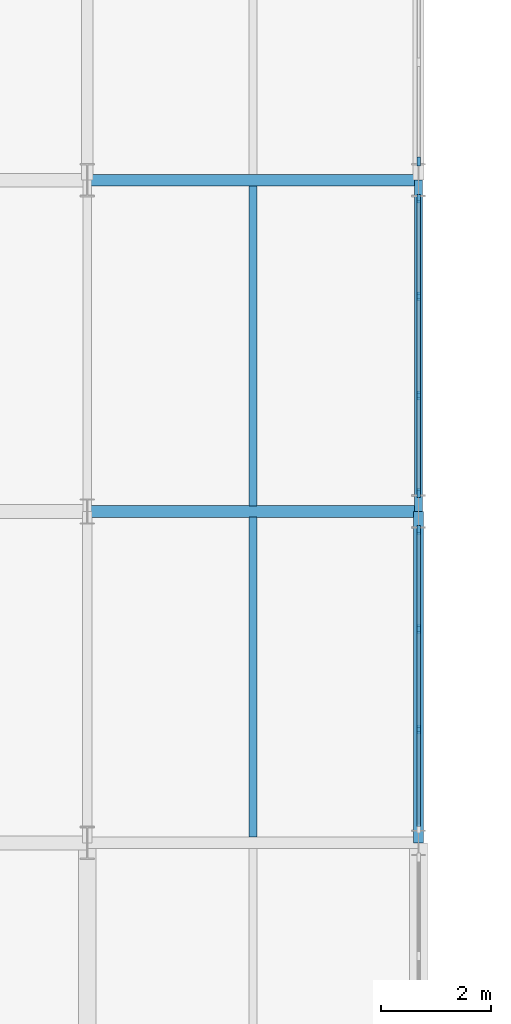
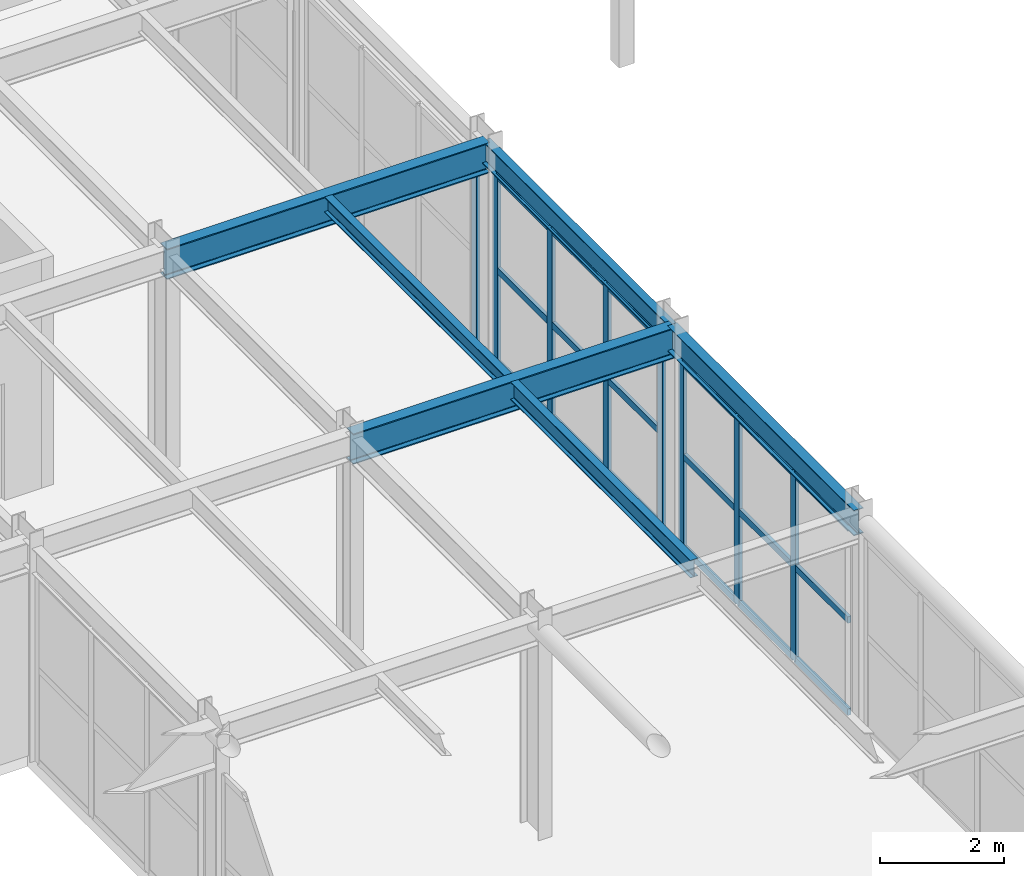
# One storey, part 34 of 96: 26 members, 6 beams, 3 elements without a shape of their own.
"""IFC4 building model written with IfcOpenShell, lengths in metres."""

import ifcopenshell
import ifcopenshell.guid

model = None  # the IFC model being written
_history = None  # IfcOwnerHistory: only IFC2X3 demands one
_inside = {}  # id of a spatial element -> (the spatial element, [elements in it])
_under = {}  # id of a project, library or spatial element -> (it, [spatial elements below it])
_declared = {}  # id of a project -> (the project, [libraries it declares])
_typed = {}  # id of a type object -> (the type object, [elements of that type])
_made_of = {}  # id of a material, layer set ... -> (it, [elements and type objects made of it])


def new_model(schema):
    """Start an empty IFC model of exactly this schema.

    Asked for "IFC4X3", IfcOpenShell would pick the latest addendum, in which some entities
    have other attributes; the version numbers below select the first issue.
    IFC2X3 requires an IfcOwnerHistory on every rooted entity: one is made here for all.
    """
    global model, _history
    if schema == "IFC4X3":
        model = ifcopenshell.file(schema_version=(4, 3, 0, 0))
    else:
        model = ifcopenshell.file(schema=schema)
    _inside.clear()
    _under.clear()
    _declared.clear()
    _typed.clear()
    _made_of.clear()
    _history = None
    if model.schema == "IFC2X3":
        org = make("IfcOrganization", Name="unknown")
        user = make(
            "IfcPersonAndOrganization",
            ThePerson=make("IfcPerson", FamilyName="unknown"),
            TheOrganization=org,
        )
        app = make(
            "IfcApplication",
            ApplicationDeveloper=org,
            Version="unknown",
            ApplicationFullName="unknown",
            ApplicationIdentifier="unknown",
        )
        _history = make(
            "IfcOwnerHistory",
            OwningUser=user,
            OwningApplication=app,
            ChangeAction="ADDED",
            CreationDate=0,
        )
    return model


def make(cls, **values):
    """One entity of the class cls with the attributes given. An attribute that is None is left unset."""
    return model.create_entity(
        cls, **{name: value for name, value in values.items() if value is not None}
    )


def rooted(cls, **values):
    """An entity with a GlobalId (a new one), such as an element, a storey or a relation."""
    return make(cls, GlobalId=ifcopenshell.guid.new(), OwnerHistory=_history, **values)


def si_unit(unit_type, name, prefix=None):
    """IfcSIUnit, for example si_unit("LENGTHUNIT", "METRE", prefix="MILLI")."""
    return make("IfcSIUnit", UnitType=unit_type, Prefix=prefix, Name=name)


def assignment(units):
    """IfcUnitAssignment: the units of a project."""
    return None if units is None else make("IfcUnitAssignment", Units=units)


def point(xyz):
    """IfcCartesianPoint."""
    return None if xyz is None else make("IfcCartesianPoint", Coordinates=xyz)


def direction(xyz):
    """IfcDirection."""
    return None if xyz is None else make("IfcDirection", DirectionRatios=xyz)


def frame(location, z_axis=None, x_axis=None):
    """IfcAxis2Placement3D, a coordinate frame: its origin and axes. An axis left out is left unset."""
    return make(
        "IfcAxis2Placement3D",
        Location=point(location),
        Axis=direction(z_axis),
        RefDirection=direction(x_axis),
    )


def frame_2d(location, x_axis=None):
    """IfcAxis2Placement2D, a coordinate frame in the plane: its origin and x axis."""
    return make(
        "IfcAxis2Placement2D", Location=point(location), RefDirection=direction(x_axis)
    )


def origin():
    """The frame at (0, 0, 0) with its axes left unset."""
    return frame((0.0, 0.0, 0.0))


def origin_2d():
    """The frame at (0, 0) in the plane with its x axis left unset."""
    return frame_2d((0.0, 0.0))


def place(relative_to, where):
    """IfcLocalPlacement: puts the frame where relative to a parent placement (None: the world)."""
    return make(
        "IfcLocalPlacement", PlacementRelTo=relative_to, RelativePlacement=where
    )


def context(
    kind, dimensions, precision=None, world=None, true_north=None, identifier=None
):
    """IfcGeometricRepresentationContext, for example the 3D "Model" context."""
    return make(
        "IfcGeometricRepresentationContext",
        ContextIdentifier=identifier,
        ContextType=kind,
        CoordinateSpaceDimension=dimensions,
        Precision=precision,
        WorldCoordinateSystem=world,
        TrueNorth=true_north,
    )


def subcontext(parent, identifier, kind, view, scale=None):
    """IfcGeometricRepresentationSubContext, for example "Body" below "Model"."""
    return make(
        "IfcGeometricRepresentationSubContext",
        ContextIdentifier=identifier,
        ContextType=kind,
        ParentContext=parent,
        TargetScale=scale,
        TargetView=view,
    )


def project(units=None, contexts=None):
    """IfcProject with its units and contexts."""
    return rooted(
        "IfcProject",
        Name="project",
        RepresentationContexts=contexts,
        UnitsInContext=assignment(units),
    )


def spatial(cls, under=None, at=None, **own):
    """A site, building, storey or space (cls), placed at a placement, below another one or the project."""
    s = rooted(cls, ObjectPlacement=at, **own)
    if under is not None:
        _under.setdefault(under.id(), (under, []))[1].append(s)
    return s


def profile(cls, at=None, kind="AREA", **sizes):
    """A parametric profile (cls). Its sizes go by their IFC names, for example OverallWidth=200.0."""
    return make(cls, ProfileType=kind, Position=at, **sizes)


def rectangle(**sizes):
    """IfcRectangleProfileDef."""
    return profile("IfcRectangleProfileDef", **sizes)


def i_section(**sizes):
    """IfcIShapeProfileDef."""
    return profile("IfcIShapeProfileDef", **sizes)


def extrude(swept, where, along, depth):
    """IfcExtrudedAreaSolid: the profile swept, set in the frame where, extruded along a direction by depth."""
    return make(
        "IfcExtrudedAreaSolid",
        SweptArea=swept,
        Position=where,
        ExtrudedDirection=direction(along),
        Depth=depth,
    )


def shape(context_of_items, identifier, shape_type, items):
    """IfcShapeRepresentation: the items that make up one representation, for example the "Body"."""
    return make(
        "IfcShapeRepresentation",
        ContextOfItems=context_of_items,
        RepresentationIdentifier=identifier,
        RepresentationType=shape_type,
        Items=items,
    )


def material(Name=None, Category=None):
    """IfcMaterial."""
    return make("IfcMaterial", Name=Name, Category=Category)


def material_profile(
    of_material, cross_section, Name=None, Category=None, Priority=None
):
    """IfcMaterialProfile: a cross section and its material."""
    return make(
        "IfcMaterialProfile",
        Name=Name,
        Material=of_material,
        Profile=cross_section,
        Priority=Priority,
        Category=Category,
    )


def profile_set(profiles, Name=None, composite=None):
    """IfcMaterialProfileSet."""
    return make(
        "IfcMaterialProfileSet",
        Name=Name,
        MaterialProfiles=profiles,
        CompositeProfile=composite,
    )


def made_of(thing, what):
    """Note that an element or type object is made of a material, layer set ...; save() writes the relation."""
    if what is not None:
        _made_of.setdefault(what.id(), (what, []))[1].append(thing)
    return thing


def type_object(cls, material=None, **own):
    """A type object (cls), such as IfcWallType, which elements share."""
    return made_of(rooted(cls, **own), material)


def element(
    cls,
    number,
    at=None,
    inside=None,
    cuts=None,
    type_object=None,
    material=None,
    context=None,
    identifier="Body",
    shape_type=None,
    held_by="IfcProductDefinitionShape",
    body=None,
    shapes=None,
    **own,
):
    """One element of the class cls, such as IfcWall. Its Tag is "e" and its number.

    at: its placement. inside: the storey or other place that contains it. cuts: it is an
    opening in that element (IfcRelVoidsElement). A single representation is given by context,
    identifier, shape_type and body (its items); several are given by shapes. held_by: the class
    of the entity that holds the representations. save() writes the other relations.
    """
    e = rooted(cls, Tag="e%d" % number, ObjectPlacement=at, **own)
    if body is not None:
        shapes = [shape(context, identifier, shape_type, body)]
    if shapes is not None:
        e.Representation = make(held_by, Representations=shapes)
    if inside is not None:
        _inside.setdefault(inside.id(), (inside, []))[1].append(e)
    if cuts is not None:
        rooted(
            "IfcRelVoidsElement", RelatingBuildingElement=cuts, RelatedOpeningElement=e
        )
    if type_object is not None:
        _typed.setdefault(type_object.id(), (type_object, []))[1].append(e)
    return made_of(e, material)


def aggregate(whole, parts):
    """IfcRelAggregates: a whole, such as a stair, and the parts it consists of."""
    return rooted("IfcRelAggregates", RelatingObject=whole, RelatedObjects=parts)


def save(model, path):
    """Write the relations noted so far, then the file.

    IfcRelAggregates (storeys below a building ...), IfcRelContainedInSpatialStructure (elements
    in a storey), IfcRelDefinesByType, IfcRelAssociatesMaterial and IfcRelDeclares: one each for
    every whole, place, type object, material and project.
    """
    for whole, parts in _under.values():
        aggregate(whole, parts)
    for where, things in _inside.values():
        rooted(
            "IfcRelContainedInSpatialStructure",
            RelatedElements=things,
            RelatingStructure=where,
        )
    for kind, things in _typed.values():
        rooted("IfcRelDefinesByType", RelatedObjects=things, RelatingType=kind)
    for what, things in _made_of.values():
        rooted("IfcRelAssociatesMaterial", RelatedObjects=things, RelatingMaterial=what)
    for by, libraries in _declared.values():
        rooted("IfcRelDeclares", RelatingContext=by, RelatedDefinitions=libraries)
    model.write(path)


model = new_model("IFC4")

# Units and contexts
model_context = context("Model", 3, precision=1e-05, world=origin(), true_north=direction((0.0, 1.0)))
body_context = subcontext(model_context, "Body", "Model", "MODEL_VIEW")
ifc_project = project(units=[si_unit("LENGTHUNIT", "METRE"), si_unit("AREAUNIT", "SQUARE_METRE"), si_unit("VOLUMEUNIT", "CUBIC_METRE"), si_unit("PLANEANGLEUNIT", "RADIAN"), si_unit("MASSUNIT", "GRAM", prefix="KILO")], contexts=[model_context])

# Site, building, storey
site_placement = place(None, origin())
site = spatial("IfcSite", under=ifc_project, at=site_placement, CompositionType="ELEMENT")
building_placement = place(site_placement, origin())
building = spatial("IfcBuilding", under=site, at=building_placement, Name="Varnakota Square Police Headquarters", CompositionType="ELEMENT")
storey_placement = place(building_placement, frame((0.0, 0.0, 4.800048828125)))
storey = spatial("IfcBuildingStorey", under=building, at=storey_placement, Name="L01", CompositionType="ELEMENT", Elevation=4.800048828125)

# Beams
ifc_material_1 = material(Name="Steel IS 2062 Grade 350", Category="steel")
ifc_material_profile_1 = material_profile(ifc_material_1, i_section(OverallWidth=0.139892578125, OverallDepth=0.300048828125, WebThickness=0.0078125, FlangeThickness=0.01318359375, FilletRadius=0.013916015625, at=origin_2d()), Name="ISMB 300")
ifc_profile_set_1 = profile_set([ifc_material_profile_1], Name="Steel IS 2062 Grade 350")
beam_type_1 = type_object("IfcBeamType", Name="BM-ISMB300", PredefinedType="JOIST", material=ifc_profile_set_1)
beam_1_placement = place(storey_placement, frame((39.0, 57.10302734375, 4.050048828125), z_axis=(0.0, 1.0, 0.0), x_axis=(-1.0, 0.0, 0.0)))
element("IfcBeam", 1, at=beam_1_placement, inside=storey, type_object=beam_type_1, Name="BMG-L01-1832", PredefinedType="JOIST", context=body_context, shape_type="SweptSolid", body=[
    extrude(i_section(OverallWidth=0.139892578125, OverallDepth=0.300048828125, WebThickness=0.0078125, FlangeThickness=0.01318359375, FilletRadius=0.013916015625, at=origin_2d()), origin(), (0.0, 0.0, 1.0), 5.7939453125),
])
ifc_material_profile_2 = material_profile(ifc_material_1, i_section(OverallWidth=0.139892578125, OverallDepth=0.35009765625, WebThickness=0.008056640625, FlangeThickness=0.01416015625, FilletRadius=0.013916015625, at=origin_2d()), Name="ISMB 350")
ifc_profile_set_2 = profile_set([ifc_material_profile_2], Name="Steel IS 2062 Grade 350")
beam_type_2 = type_object("IfcBeamType", Name="BM-ISMB350", PredefinedType="JOIST", material=ifc_profile_set_2)
beam_2_placement = place(storey_placement, frame((39.0, 51.10302734375, 4.02490234375), z_axis=(0.0, 1.0, 0.0), x_axis=(-1.0, 0.0, 0.0)))
element("IfcBeam", 2, at=beam_2_placement, inside=storey, type_object=beam_type_2, Name="BMG-L01-1831", PredefinedType="JOIST", context=body_context, shape_type="SweptSolid", body=[
    extrude(i_section(OverallWidth=0.139892578125, OverallDepth=0.35009765625, WebThickness=0.008056640625, FlangeThickness=0.01416015625, FilletRadius=0.013916015625, at=origin_2d()), origin(), (0.0, 0.0, 1.0), 5.7939453125),
])
ifc_material_profile_3 = material_profile(ifc_material_1, i_section(OverallWidth=0.14990234375, OverallDepth=0.449951171875, WebThickness=0.009521484375, FlangeThickness=0.017333984375, FilletRadius=0.014892578125, at=origin_2d()), Name="ISMB 450")
ifc_profile_set_3 = profile_set([ifc_material_profile_3], Name="Steel IS 2062 Grade 350")
beam_type_3 = type_object("IfcBeamType", Name="BM-ISMB450", PredefinedType="BEAM", material=ifc_profile_set_3)
beam_3_placement = place(storey_placement, frame((42.0, 57.0, 3.974853515625), z_axis=(0.0, 1.0, 0.0), x_axis=(-1.0, 0.0, 0.0)))
element("IfcBeam", 3, at=beam_3_placement, inside=storey, type_object=beam_type_3, Name="BMG-L01-1622", PredefinedType="BEAM", context=body_context, shape_type="SweptSolid", body=[
    extrude(i_section(OverallWidth=0.14990234375, OverallDepth=0.449951171875, WebThickness=0.009521484375, FlangeThickness=0.017333984375, FilletRadius=0.014892578125, at=origin_2d()), origin(), (0.0, 0.0, 1.0), 6.0),
])
ifc_material_profile_4 = material_profile(ifc_material_1, i_section(OverallWidth=0.179931640625, OverallDepth=0.5, WebThickness=0.01025390625, FlangeThickness=0.01708984375, FilletRadius=0.01708984375, at=origin_2d()), Name="ISMB 500")
ifc_profile_set_4 = profile_set([ifc_material_profile_4], Name="Steel IS 2062 Grade 350")
beam_type_4 = type_object("IfcBeamType", Name="BM-ISMB500", PredefinedType="BEAM", material=ifc_profile_set_4)
beam_4_placement = place(storey_placement, frame((42.0, 51.0, 3.949951171875), z_axis=(0.0, 1.0, 0.0), x_axis=(-1.0, 0.0, 0.0)))
element("IfcBeam", 4, at=beam_4_placement, inside=storey, type_object=beam_type_4, Name="BMG-L01-1621", PredefinedType="BEAM", context=body_context, shape_type="SweptSolid", body=[
    extrude(i_section(OverallWidth=0.179931640625, OverallDepth=0.5, WebThickness=0.01025390625, FlangeThickness=0.01708984375, FilletRadius=0.01708984375, at=origin_2d()), origin(), (0.0, 0.0, 1.0), 6.0),
])
ifc_material_profile_5 = material_profile(ifc_material_1, i_section(OverallWidth=0.2099609375, OverallDepth=0.60009765625, WebThickness=0.011962890625, FlangeThickness=0.020751953125, FilletRadius=0.02001953125, at=origin_2d()), Name="ISMB 600")
ifc_profile_set_5 = profile_set([ifc_material_profile_5], Name="Steel IS 2062 Grade 350")
beam_type_5 = type_object("IfcBeamType", Name="BM-ISMB600", PredefinedType="BEAM", material=ifc_profile_set_5)
for number, where, z_axis, x_axis, name in (
    (5, (36.0, 57.0, 3.89990234375), (1.0, 0.0, 0.0), (0.0, 1.0, 0.0), "BMG-L01-1411"),
    (6, (36.0, 63.0, 3.89990234375), (1.0, 0.0, 0.0), (0.0, 1.0, 0.0), "BMG-L01-1417"),
):
    element("IfcBeam", number, at=place(storey_placement, frame(where, z_axis=z_axis, x_axis=x_axis)), inside=storey, type_object=beam_type_5, Name=name, PredefinedType="BEAM", context=body_context, shape_type="SweptSolid", body=[
        extrude(i_section(OverallWidth=0.2099609375, OverallDepth=0.60009765625, WebThickness=0.011962890625, FlangeThickness=0.020751953125, FilletRadius=0.02001953125, at=origin_2d()), origin(), (0.0, 0.0, 1.0), 6.0),
    ])

# Curtain wall, members
ifc_material_2 = material(Name="Anodised Aluminium Framing", Category="aluminium")
curtain_wall_type = type_object("IfcCurtainWallType", Name="CW-SYS-D", PredefinedType="NOTDEFINED", material=ifc_material_2)
curtain_wall_1_placement = place(storey_placement, origin())
curtain_wall_1 = element("IfcCurtainWall", 7, at=curtain_wall_1_placement, inside=storey, type_object=curtain_wall_type, Name="Unitised curtain wall CWG-L01-144", PredefinedType="NOTDEFINED")
ifc_material_3 = material(Name="Anodised Aluminium 6063-T6", Category="aluminium")
ifc_material_profile_6 = material_profile(ifc_material_3, rectangle(XDim=0.06494140625, YDim=0.159912109375, at=origin_2d()), Name="ALU MULLION 65x160")
ifc_profile_set_6 = profile_set([ifc_material_profile_6], Name="Anodised Aluminium 6063-T6")
member_type_1 = type_object("IfcMemberType", Name="CWM-150", PredefinedType="MULLION", material=ifc_profile_set_6)
member_1_placement = place(storey_placement, frame((42.0, 53.0517578125, 0.0), z_axis=(0.0, 0.0, 1.0), x_axis=(-1.0, 0.0, 0.0)))
member_1 = element("IfcMember", 8, at=member_1_placement, type_object=member_type_1, Name="CWG-L01-144 mullion 2", PredefinedType="MULLION", context=body_context, shape_type="SweptSolid", body=[
    extrude(rectangle(XDim=0.06494140625, YDim=0.159912109375, at=origin_2d()), origin(), (0.0, 0.0, 1.0), 3.68994140625),
])
member_2_placement = place(storey_placement, frame((42.0, 54.873291015625, 0.0), z_axis=(0.0, 0.0, 1.0), x_axis=(-1.0, 0.0, 0.0)))
member_2 = element("IfcMember", 9, at=member_2_placement, type_object=member_type_1, Name="CWG-L01-144 mullion 3", PredefinedType="MULLION", context=body_context, shape_type="SweptSolid", body=[
    extrude(rectangle(XDim=0.06494140625, YDim=0.159912109375, at=origin_2d()), origin(), (0.0, 0.0, 1.0), 3.68994140625),
])
member_3_placement = place(storey_placement, frame((42.0, 56.66259765625, 0.0), z_axis=(0.0, 0.0, 1.0), x_axis=(-1.0, 0.0, 0.0)))
member_3 = element("IfcMember", 10, at=member_3_placement, type_object=member_type_1, Name="CWG-L01-144 mullion 4", PredefinedType="MULLION", context=body_context, shape_type="SweptSolid", body=[
    extrude(rectangle(XDim=0.06494140625, YDim=0.159912109375, at=origin_2d()), origin(), (0.0, 0.0, 1.0), 3.68994140625),
])

curtain_wall_2_placement = place(storey_placement, origin())
curtain_wall_2 = element("IfcCurtainWall", 11, at=curtain_wall_2_placement, inside=storey, type_object=curtain_wall_type, Name="Unitised curtain wall CWG-L01-145", PredefinedType="NOTDEFINED")
member_4_placement = place(storey_placement, frame((42.0, 57.33740234375, 0.0), z_axis=(0.0, 0.0, 1.0), x_axis=(-1.0, 0.0, 0.0)))
member_4 = element("IfcMember", 12, at=member_4_placement, type_object=member_type_1, Name="CWG-L01-145 mullion 1", PredefinedType="MULLION", context=body_context, shape_type="SweptSolid", body=[
    extrude(rectangle(XDim=0.06494140625, YDim=0.159912109375, at=origin_2d()), origin(), (0.0, 0.0, 1.0), 3.739990234375),
])
member_5_placement = place(storey_placement, frame((42.0, 59.1015625, 0.0), z_axis=(0.0, 0.0, 1.0), x_axis=(-1.0, 0.0, 0.0)))
member_5 = element("IfcMember", 13, at=member_5_placement, type_object=member_type_1, Name="CWG-L01-145 mullion 2", PredefinedType="MULLION", context=body_context, shape_type="SweptSolid", body=[
    extrude(rectangle(XDim=0.06494140625, YDim=0.159912109375, at=origin_2d()), origin(), (0.0, 0.0, 1.0), 3.739990234375),
])
member_6_placement = place(storey_placement, frame((42.0, 60.8984375, 0.0), z_axis=(0.0, 0.0, 1.0), x_axis=(-1.0, 0.0, 0.0)))
member_6 = element("IfcMember", 14, at=member_6_placement, type_object=member_type_1, Name="CWG-L01-145 mullion 3", PredefinedType="MULLION", context=body_context, shape_type="SweptSolid", body=[
    extrude(rectangle(XDim=0.06494140625, YDim=0.159912109375, at=origin_2d()), origin(), (0.0, 0.0, 1.0), 3.739990234375),
])
member_7_placement = place(storey_placement, frame((42.0, 62.66259765625, 0.0), z_axis=(0.0, 0.0, 1.0), x_axis=(-1.0, 0.0, 0.0)))
member_7 = element("IfcMember", 15, at=member_7_placement, type_object=member_type_1, Name="CWG-L01-145 mullion 4", PredefinedType="MULLION", context=body_context, shape_type="SweptSolid", body=[
    extrude(rectangle(XDim=0.06494140625, YDim=0.159912109375, at=origin_2d()), origin(), (0.0, 0.0, 1.0), 3.739990234375),
])

# Curtain wall, member
curtain_wall_3_placement = place(storey_placement, origin())
curtain_wall_3 = element("IfcCurtainWall", 16, at=curtain_wall_3_placement, inside=storey, type_object=curtain_wall_type, Name="Unitised curtain wall CWG-L01-146", PredefinedType="NOTDEFINED")
member_8_placement = place(storey_placement, frame((42.0, 63.33740234375, 0.0), z_axis=(0.0, 0.0, 1.0), x_axis=(-1.0, 0.0, 0.0)))
member_8 = element("IfcMember", 17, at=member_8_placement, type_object=member_type_1, Name="CWG-L01-146 mullion 1", PredefinedType="MULLION", context=body_context, shape_type="SweptSolid", body=[
    extrude(rectangle(XDim=0.06494140625, YDim=0.159912109375, at=origin_2d()), origin(), (0.0, 0.0, 1.0), 3.58984375),
])
aggregate(curtain_wall_3, [member_8])

# Member
ifc_material_profile_7 = material_profile(ifc_material_3, rectangle(XDim=0.06494140625, YDim=0.1298828125, at=origin_2d()), Name="ALU TRANSOM 65x130")
ifc_profile_set_7 = profile_set([ifc_material_profile_7], Name="Anodised Aluminium 6063-T6")
member_type_2 = type_object("IfcMemberType", Name="CWT-120", PredefinedType="USERDEFINED", material=ifc_profile_set_7)
member_9_placement = place(storey_placement, frame((42.0, 51.294921875, 0.032470703125), z_axis=(0.0, 1.0, 0.0), x_axis=(-1.0, 0.0, 0.0)))
member_9 = element("IfcMember", 18, at=member_9_placement, type_object=member_type_2, Name="CWG-L01-144 transom 1.1", ObjectType="TRANSOM", PredefinedType="USERDEFINED", context=body_context, shape_type="SweptSolid", body=[
    extrude(rectangle(XDim=0.06494140625, YDim=0.1298828125, at=origin_2d()), origin(), (0.0, 0.0, 1.0), 1.724365234375),
])

member_10_placement = place(storey_placement, frame((42.0, 51.294921875, 1.844970703125), z_axis=(0.0, 1.0, 0.0), x_axis=(-1.0, 0.0, 0.0)))
member_10 = element("IfcMember", 19, at=member_10_placement, type_object=member_type_2, Name="CWG-L01-144 transom 1.2", ObjectType="TRANSOM", PredefinedType="USERDEFINED", context=body_context, shape_type="SweptSolid", body=[
    extrude(rectangle(XDim=0.06494140625, YDim=0.1298828125, at=origin_2d()), origin(), (0.0, 0.0, 1.0), 1.724365234375),
])

member_11_placement = place(storey_placement, frame((42.0, 51.294921875, 3.657470703125), z_axis=(0.0, 1.0, 0.0), x_axis=(-1.0, 0.0, 0.0)))
member_11 = element("IfcMember", 20, at=member_11_placement, type_object=member_type_2, Name="CWG-L01-144 transom 1.3", ObjectType="TRANSOM", PredefinedType="USERDEFINED", context=body_context, shape_type="SweptSolid", body=[
    extrude(rectangle(XDim=0.06494140625, YDim=0.1298828125, at=origin_2d()), origin(), (0.0, 0.0, 1.0), 1.724365234375),
])

member_12_placement = place(storey_placement, frame((42.0, 53.084228515625, 0.032470703125), z_axis=(0.0, 1.0, 0.0), x_axis=(-1.0, 0.0, 0.0)))
member_12 = element("IfcMember", 21, at=member_12_placement, type_object=member_type_2, Name="CWG-L01-144 transom 2.1", ObjectType="TRANSOM", PredefinedType="USERDEFINED", context=body_context, shape_type="SweptSolid", body=[
    extrude(rectangle(XDim=0.06494140625, YDim=0.1298828125, at=origin_2d()), origin(), (0.0, 0.0, 1.0), 1.756591796875),
])

member_13_placement = place(storey_placement, frame((42.0, 53.084228515625, 1.844970703125), z_axis=(0.0, 1.0, 0.0), x_axis=(-1.0, 0.0, 0.0)))
member_13 = element("IfcMember", 22, at=member_13_placement, type_object=member_type_2, Name="CWG-L01-144 transom 2.2", ObjectType="TRANSOM", PredefinedType="USERDEFINED", context=body_context, shape_type="SweptSolid", body=[
    extrude(rectangle(XDim=0.06494140625, YDim=0.1298828125, at=origin_2d()), origin(), (0.0, 0.0, 1.0), 1.756591796875),
])

member_14_placement = place(storey_placement, frame((42.0, 53.084228515625, 3.657470703125), z_axis=(0.0, 1.0, 0.0), x_axis=(-1.0, 0.0, 0.0)))
member_14 = element("IfcMember", 23, at=member_14_placement, type_object=member_type_2, Name="CWG-L01-144 transom 2.3", ObjectType="TRANSOM", PredefinedType="USERDEFINED", context=body_context, shape_type="SweptSolid", body=[
    extrude(rectangle(XDim=0.06494140625, YDim=0.1298828125, at=origin_2d()), origin(), (0.0, 0.0, 1.0), 1.756591796875),
])

member_15_placement = place(storey_placement, frame((42.0, 54.90576171875, 0.032470703125), z_axis=(0.0, 1.0, 0.0), x_axis=(-1.0, 0.0, 0.0)))
member_15 = element("IfcMember", 24, at=member_15_placement, type_object=member_type_2, Name="CWG-L01-144 transom 3.1", ObjectType="TRANSOM", PredefinedType="USERDEFINED", context=body_context, shape_type="SweptSolid", body=[
    extrude(rectangle(XDim=0.06494140625, YDim=0.1298828125, at=origin_2d()), origin(), (0.0, 0.0, 1.0), 1.72412109375),
])

member_16_placement = place(storey_placement, frame((42.0, 54.90576171875, 1.844970703125), z_axis=(0.0, 1.0, 0.0), x_axis=(-1.0, 0.0, 0.0)))
member_16 = element("IfcMember", 25, at=member_16_placement, type_object=member_type_2, Name="CWG-L01-144 transom 3.2", ObjectType="TRANSOM", PredefinedType="USERDEFINED", context=body_context, shape_type="SweptSolid", body=[
    extrude(rectangle(XDim=0.06494140625, YDim=0.1298828125, at=origin_2d()), origin(), (0.0, 0.0, 1.0), 1.72412109375),
])

member_17_placement = place(storey_placement, frame((42.0, 54.90576171875, 3.657470703125), z_axis=(0.0, 1.0, 0.0), x_axis=(-1.0, 0.0, 0.0)))
member_17 = element("IfcMember", 26, at=member_17_placement, type_object=member_type_2, Name="CWG-L01-144 transom 3.3", ObjectType="TRANSOM", PredefinedType="USERDEFINED", context=body_context, shape_type="SweptSolid", body=[
    extrude(rectangle(XDim=0.06494140625, YDim=0.1298828125, at=origin_2d()), origin(), (0.0, 0.0, 1.0), 1.72412109375),
])

aggregate(curtain_wall_1, [member_1, member_2, member_3, member_9, member_10, member_11, member_12, member_13, member_14, member_15, member_16, member_17])

member_18_placement = place(storey_placement, frame((42.0, 57.3701171875, 0.032470703125), z_axis=(0.0, 1.0, 0.0), x_axis=(-1.0, 0.0, 0.0)))
member_18 = element("IfcMember", 27, at=member_18_placement, type_object=member_type_2, Name="CWG-L01-145 transom 1.1", ObjectType="TRANSOM", PredefinedType="USERDEFINED", context=body_context, shape_type="SweptSolid", body=[
    extrude(rectangle(XDim=0.06494140625, YDim=0.1298828125, at=origin_2d()), origin(), (0.0, 0.0, 1.0), 1.698974609375),
])

member_19_placement = place(storey_placement, frame((42.0, 57.3701171875, 1.869873046875), z_axis=(0.0, 1.0, 0.0), x_axis=(-1.0, 0.0, 0.0)))
member_19 = element("IfcMember", 28, at=member_19_placement, type_object=member_type_2, Name="CWG-L01-145 transom 1.2", ObjectType="TRANSOM", PredefinedType="USERDEFINED", context=body_context, shape_type="SweptSolid", body=[
    extrude(rectangle(XDim=0.06494140625, YDim=0.1298828125, at=origin_2d()), origin(), (0.0, 0.0, 1.0), 1.698974609375),
])

member_20_placement = place(storey_placement, frame((42.0, 57.3701171875, 3.70751953125), z_axis=(0.0, 1.0, 0.0), x_axis=(-1.0, 0.0, 0.0)))
member_20 = element("IfcMember", 29, at=member_20_placement, type_object=member_type_2, Name="CWG-L01-145 transom 1.3", ObjectType="TRANSOM", PredefinedType="USERDEFINED", context=body_context, shape_type="SweptSolid", body=[
    extrude(rectangle(XDim=0.06494140625, YDim=0.1298828125, at=origin_2d()), origin(), (0.0, 0.0, 1.0), 1.698974609375),
])

member_21_placement = place(storey_placement, frame((42.0, 59.13427734375, 0.032470703125), z_axis=(0.0, 1.0, 0.0), x_axis=(-1.0, 0.0, 0.0)))
member_21 = element("IfcMember", 30, at=member_21_placement, type_object=member_type_2, Name="CWG-L01-145 transom 2.1", ObjectType="TRANSOM", PredefinedType="USERDEFINED", context=body_context, shape_type="SweptSolid", body=[
    extrude(rectangle(XDim=0.06494140625, YDim=0.1298828125, at=origin_2d()), origin(), (0.0, 0.0, 1.0), 1.7314453125),
])

member_22_placement = place(storey_placement, frame((42.0, 59.13427734375, 1.869873046875), z_axis=(0.0, 1.0, 0.0), x_axis=(-1.0, 0.0, 0.0)))
member_22 = element("IfcMember", 31, at=member_22_placement, type_object=member_type_2, Name="CWG-L01-145 transom 2.2", ObjectType="TRANSOM", PredefinedType="USERDEFINED", context=body_context, shape_type="SweptSolid", body=[
    extrude(rectangle(XDim=0.06494140625, YDim=0.1298828125, at=origin_2d()), origin(), (0.0, 0.0, 1.0), 1.7314453125),
])

member_23_placement = place(storey_placement, frame((42.0, 59.13427734375, 3.70751953125), z_axis=(0.0, 1.0, 0.0), x_axis=(-1.0, 0.0, 0.0)))
member_23 = element("IfcMember", 32, at=member_23_placement, type_object=member_type_2, Name="CWG-L01-145 transom 2.3", ObjectType="TRANSOM", PredefinedType="USERDEFINED", context=body_context, shape_type="SweptSolid", body=[
    extrude(rectangle(XDim=0.06494140625, YDim=0.1298828125, at=origin_2d()), origin(), (0.0, 0.0, 1.0), 1.7314453125),
])

member_24_placement = place(storey_placement, frame((42.0, 60.930908203125, 0.032470703125), z_axis=(0.0, 1.0, 0.0), x_axis=(-1.0, 0.0, 0.0)))
member_24 = element("IfcMember", 33, at=member_24_placement, type_object=member_type_2, Name="CWG-L01-145 transom 3.1", ObjectType="TRANSOM", PredefinedType="USERDEFINED", context=body_context, shape_type="SweptSolid", body=[
    extrude(rectangle(XDim=0.06494140625, YDim=0.1298828125, at=origin_2d()), origin(), (0.0, 0.0, 1.0), 1.698974609375),
])

member_25_placement = place(storey_placement, frame((42.0, 60.930908203125, 1.869873046875), z_axis=(0.0, 1.0, 0.0), x_axis=(-1.0, 0.0, 0.0)))
member_25 = element("IfcMember", 34, at=member_25_placement, type_object=member_type_2, Name="CWG-L01-145 transom 3.2", ObjectType="TRANSOM", PredefinedType="USERDEFINED", context=body_context, shape_type="SweptSolid", body=[
    extrude(rectangle(XDim=0.06494140625, YDim=0.1298828125, at=origin_2d()), origin(), (0.0, 0.0, 1.0), 1.698974609375),
])

member_26_placement = place(storey_placement, frame((42.0, 60.930908203125, 3.70751953125), z_axis=(0.0, 1.0, 0.0), x_axis=(-1.0, 0.0, 0.0)))
member_26 = element("IfcMember", 35, at=member_26_placement, type_object=member_type_2, Name="CWG-L01-145 transom 3.3", ObjectType="TRANSOM", PredefinedType="USERDEFINED", context=body_context, shape_type="SweptSolid", body=[
    extrude(rectangle(XDim=0.06494140625, YDim=0.1298828125, at=origin_2d()), origin(), (0.0, 0.0, 1.0), 1.698974609375),
])

aggregate(curtain_wall_2, [member_4, member_5, member_6, member_7, member_18, member_19, member_20, member_21, member_22, member_23, member_24, member_25, member_26])

save(model, "model.ifc")
